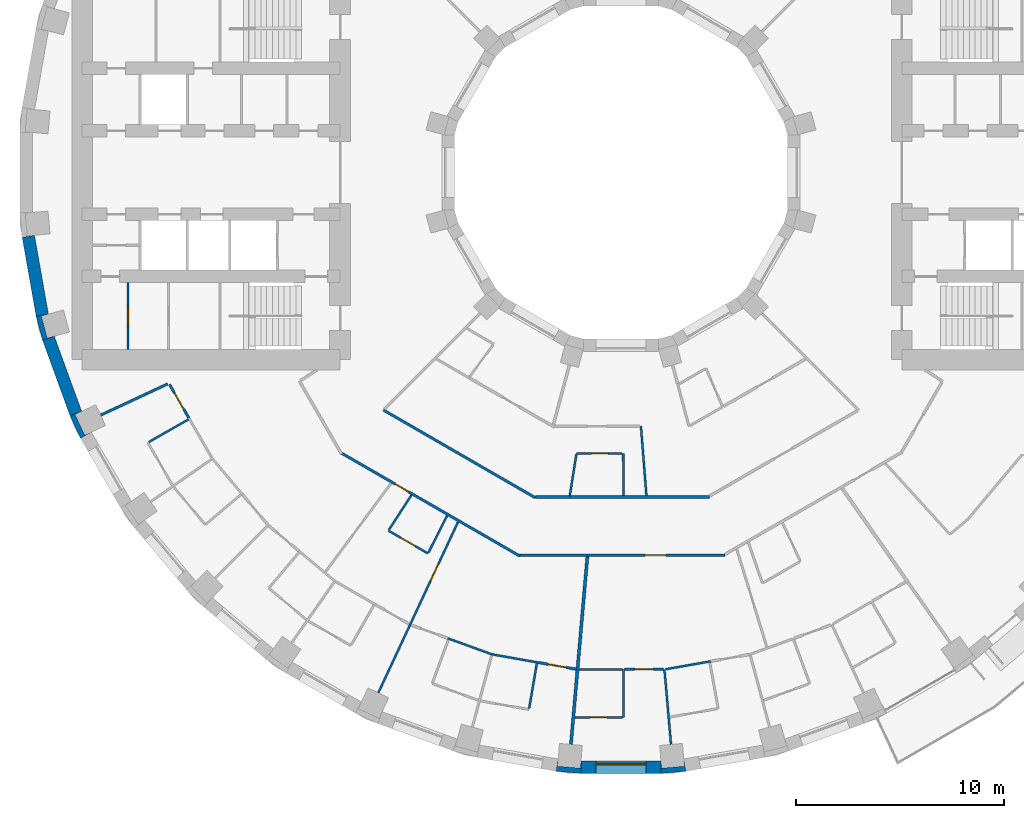
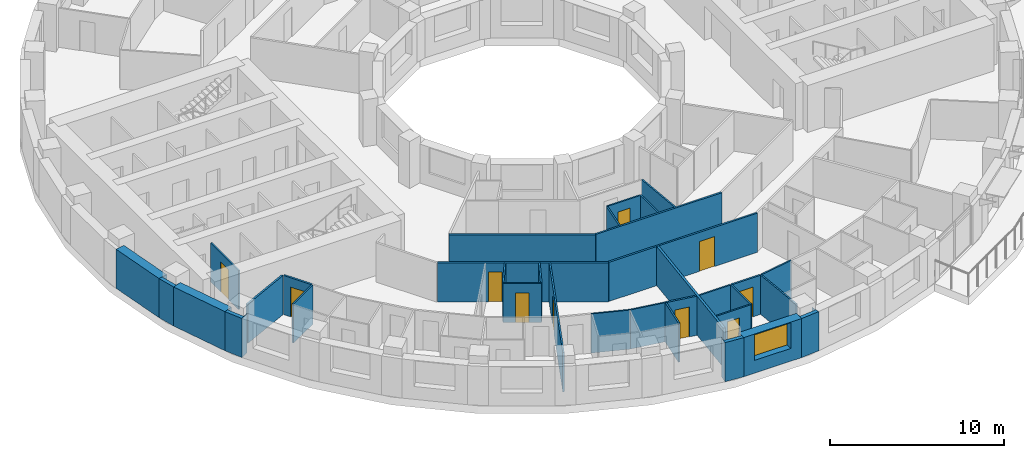
# One storey, part 5 of 15: 34 walls, 10 doors, 1 window, 11 openings.
"""IFC4 building model written with IfcOpenShell, lengths in metres."""

from ifc_helpers import new_model, si_unit, direction, frame, frame_2d, origin, place, context, subcontext, project, spatial, polyline, rectangle, outline, extrude, material, layer, layer_set, type_object, element, fill, save


model = new_model("IFC4")

# Units and contexts
model_context = context("Model", 3, precision=1e-05, world=origin(), true_north=direction((0.0, 1.0)))
body_context = subcontext(model_context, "Body", "Model", "MODEL_VIEW")
ifc_project = project(units=[si_unit("LENGTHUNIT", "METRE"), si_unit("AREAUNIT", "SQUARE_METRE"), si_unit("VOLUMEUNIT", "CUBIC_METRE"), si_unit("PLANEANGLEUNIT", "RADIAN"), si_unit("MASSUNIT", "GRAM", prefix="KILO")], contexts=[model_context])

# Site, building, storey
site_placement = place(None, origin())
site = spatial("IfcSite", under=ifc_project, at=site_placement, CompositionType="ELEMENT")
building_placement = place(site_placement, origin())
building = spatial("IfcBuilding", under=site, at=building_placement, Name="Saqina Gate Tower", CompositionType="ELEMENT")
storey_placement = place(building_placement, frame((0.0, 0.0, 39.5)))
storey = spatial("IfcBuildingStorey", under=building, at=storey_placement, Name="L10", CompositionType="ELEMENT", Elevation=39.5)

# Walls
ifc_material_1 = material(Name="Brick masonry (red)", Category="masonry")
wall_type_1 = type_object("IfcWallType", Name="BRICK PIER COPING RED", PredefinedType="SOLIDWALL", material=ifc_material_1)
wall_1_placement = place(storey_placement, origin())
element("IfcWall", 1, at=wall_1_placement, inside=storey, type_object=wall_type_1, Name="Pier cap L10 column 20", PredefinedType="SOLIDWALL", context=body_context, shape_type="SweptSolid", body=[
    extrude(outline(polyline([(-28.11669921875, -6.910400390625), (-27.80517578125, -8.073974609375), (-27.2412109375, -7.86865234375), (-27.57958984375, -7.95947265625), (-27.864501953125, -6.896728515625), (-27.52587890625, -6.80615234375), (-28.11669921875, -6.910400390625)])), origin(), (0.0, 0.0, 1.0), 2.75),
])
wall_2_placement = place(storey_placement, origin())
element("IfcWall", 2, at=wall_2_placement, inside=storey, type_object=wall_type_1, Name="Pier cap L10 column 21", PredefinedType="SOLIDWALL", context=body_context, shape_type="SweptSolid", body=[
    extrude(outline(polyline([(-25.980712890625, -12.779541015625), (-25.4609375, -12.4794921875), (-25.778564453125, -12.627685546875), (-26.243408203125, -11.630615234375), (-25.92578125, -11.482666015625), (-26.48974609375, -11.687744140625), (-25.980712890625, -12.779541015625)])), origin(), (0.0, 0.0, 1.0), 2.75),
])
wall_3_placement = place(storey_placement, origin())
element("IfcWall", 3, at=wall_3_placement, inside=storey, type_object=wall_type_1, Name="Pier cap L10 column 27", PredefinedType="SOLIDWALL", context=body_context, shape_type="SweptSolid", body=[
    extrude(outline(polyline([(-3.122802734375, -28.78466796875), (-1.9228515625, -28.8896484375), (-1.9228515625, -28.28955078125), (-1.95361328125, -28.638671875), (-3.04931640625, -28.54296875), (-3.018798828125, -28.19384765625), (-3.122802734375, -28.78466796875)])), origin(), (0.0, 0.0, 1.0), 2.75),
])
wall_4_placement = place(storey_placement, origin())
element("IfcWall", 4, at=wall_4_placement, inside=storey, type_object=wall_type_1, Name="Pier cap L10 column 28", PredefinedType="SOLIDWALL", context=body_context, shape_type="SweptSolid", body=[
    extrude(outline(polyline([(1.9228515625, -28.8896484375), (3.122802734375, -28.78466796875), (3.018798828125, -28.19384765625), (3.04931640625, -28.54296875), (1.95361328125, -28.638671875), (1.9228515625, -28.28955078125), (1.9228515625, -28.8896484375)])), origin(), (0.0, 0.0, 1.0), 2.75),
])

# Wall, opening, door
ifc_material_2 = material(Name="Gypsum board on steel studs", Category="steel")
ifc_layer_1 = layer(ifc_material_2, 0.10009765625)
ifc_layer_set_1 = layer_set([ifc_layer_1], Name="CORE PARTITION")
wall_type_2 = type_object("IfcWallType", Name="CORE PARTITION", PredefinedType="PARTITIONING", material=ifc_layer_set_1)
wall_5_placement = place(storey_placement, frame((-23.697509765625, -8.5, 0.0), z_axis=(0.0, 0.0, 1.0), x_axis=(0.0, 1.0, 0.0)))
wall_5 = element("IfcWall", 5, at=wall_5_placement, inside=storey, type_object=wall_type_2, Name="L10-CP-W14", PredefinedType="PARTITIONING", context=body_context, shape_type="SweptSolid", body=[
    extrude(rectangle(XDim=3.199951171875, YDim=0.10009765625, at=frame_2d((1.60009765625, 0.0))), origin(), (0.0, 0.0, 1.0), 2.75),
])
opening_1_placement = place(wall_5_placement, frame((1.14990234375, 0.0, 0.0)))
opening_1 = element("IfcOpeningElement", 6, at=opening_1_placement, cuts=wall_5, Name="Opening G02-D115", PredefinedType="OPENING", context=body_context, shape_type="SweptSolid", body=[
    extrude(rectangle(XDim=0.89990234375, YDim=2.10009765625, at=frame_2d((0.449951171875, 1.050048828125))), frame((0.0, 0.06201171875, 0.0), z_axis=(0.0, -1.0, 0.0), x_axis=(1.0, 0.0, 0.0)), (0.0, 0.0, 1.0), 0.1240234375),
])
ifc_material_3 = material(Name="Steel-framed fire door leaf, EI 60", Category="steel")
door_type_1 = type_object("IfcDoorType", Name="SERVICE ROOM DOOR 900", OperationType="SINGLE_SWING_LEFT", PredefinedType="DOOR", material=ifc_material_3)
door_1_placement = place(opening_1_placement, frame((0.89990234375, 0.0, 0.0), z_axis=(0.0, 0.0, 1.0), x_axis=(-1.0, 0.0, 0.0)))
door_1 = element("IfcDoor", 7, at=door_1_placement, inside=storey, type_object=door_type_1, Name="L10-CD-W26", OperationType="SINGLE_SWING_RIGHT", OverallHeight=2.10009765625, OverallWidth=0.89990234375, PredefinedType="DOOR", context=body_context, shape_type="SweptSolid", body=[
    extrude(rectangle(XDim=0.89990234375, YDim=2.10009765625, at=frame_2d((0.449951171875, 1.050048828125))), frame((0.0, 0.02490234375, 0.0), z_axis=(0.0, -1.0, 0.0), x_axis=(1.0, 0.0, 0.0)), (0.0, 0.0, 1.0), 0.050048828125),
])
fill(opening_1, door_1)

# Wall, opening, window
ifc_material_4 = material(Name="Brick masonry (red)", Category="masonry")
ifc_layer_2 = layer(ifc_material_4, 0.60009765625)
ifc_layer_set_2 = layer_set([ifc_layer_2], Name="FW-BRICK-RED")
wall_type_3 = type_object("IfcWallType", Name="FW-BRICK-RED", PredefinedType="SOLIDWALL", material=ifc_layer_set_2)
wall_6_placement = place(storey_placement, frame((-1.9228515625, -28.589599609375, 0.0), z_axis=(0.0, 0.0, 1.0), x_axis=(1.0, 0.0, 0.0)))
wall_6 = element("IfcWall", 8, at=wall_6_placement, inside=storey, type_object=wall_type_3, Name="Facade wall L10 facet 27", PredefinedType="SOLIDWALL", context=body_context, shape_type="SweptSolid", body=[
    extrude(rectangle(XDim=3.845703125, YDim=0.60009765625, at=frame_2d((1.9228515625, 0.0))), origin(), (0.0, 0.0, 1.0), 2.75),
])
opening_2_placement = place(wall_6_placement, frame((0.722900390625, 0.0, 0.89990234375)))
opening_2 = element("IfcOpeningElement", 9, at=opening_2_placement, cuts=wall_6, Name="Opening G02-W20", PredefinedType="OPENING", context=body_context, shape_type="SweptSolid", body=[
    extrude(rectangle(XDim=2.39990234375, YDim=1.800048828125, at=frame_2d((1.199951171875, 0.89990234375))), frame((0.0, 0.31201171875, 0.0), z_axis=(0.0, -1.0, 0.0), x_axis=(1.0, 0.0, 0.0)), (0.0, 0.0, 1.0), 0.6240234375),
])
ifc_material_5 = material(Name="Aluminium glazing", Category="aluminium")
window_type = type_object("IfcWindowType", Name="WN-A", PartitioningType="SINGLE_PANEL", PredefinedType="WINDOW", material=ifc_material_5)
window_placement = place(opening_2_placement, origin())
window = element("IfcWindow", 10, at=window_placement, inside=storey, type_object=window_type, Name="Window L10 facet 27", OverallHeight=1.800048828125, OverallWidth=2.39990234375, PartitioningType="SINGLE_PANEL", PredefinedType="WINDOW", context=body_context, shape_type="SweptSolid", body=[
    extrude(rectangle(XDim=2.39990234375, YDim=1.800048828125, at=frame_2d((1.199951171875, 0.89990234375))), frame((0.0, 0.179931640625, 0.0), z_axis=(0.0, -1.0, 0.0), x_axis=(1.0, 0.0, 0.0)), (0.0, 0.0, 1.0), 0.06005859375),
])
fill(opening_2, window)

# Walls
ifc_material_6 = material(Name="Glazed ceramic tile", Category="ceramic")
ifc_layer_3 = layer(ifc_material_6, 0.60009765625)
ifc_layer_set_3 = layer_set([ifc_layer_3], Name="FW-TILE")
wall_type_4 = type_object("IfcWallType", Name="FW-TILE", PredefinedType="SOLIDWALL", material=ifc_layer_set_3)
wall_7_placement = place(storey_placement, frame((-28.4892578125, -3.07080078125, 0.0), z_axis=(0.0, 0.0, 1.0), x_axis=(0.173687553279, -0.984800809218, 0.0)))
element("IfcWall", 11, at=wall_7_placement, inside=storey, type_object=wall_type_4, Name="Facade wall L10 facet 19", PredefinedType="SOLIDWALL", context=body_context, shape_type="SweptSolid", body=[
    extrude(rectangle(XDim=3.845703125, YDim=0.60009765625, at=frame_2d((1.9228515625, 0.0))), origin(), (0.0, 0.0, 1.0), 2.75),
])
ifc_material_7 = material(Name="Glazed ceramic tile (dark blue)", Category="ceramic")
ifc_layer_4 = layer(ifc_material_7, 0.60009765625)
ifc_layer_set_4 = layer_set([ifc_layer_4], Name="FW-TILE-CB")
wall_type_5 = type_object("IfcWallType", Name="FW-TILE-CB", PredefinedType="SOLIDWALL", material=ifc_layer_set_4)
wall_8_placement = place(storey_placement, frame((-27.523193359375, -7.97119140625, 0.0), z_axis=(0.0, 0.0, 1.0), x_axis=(0.342028474173, -0.939689588564, 0.0)))
element("IfcWall", 12, at=wall_8_placement, inside=storey, type_object=wall_type_5, Name="Facade wall L10 facet 20", PredefinedType="SOLIDWALL", context=body_context, shape_type="SweptSolid", body=[
    extrude(rectangle(XDim=3.845947265625, YDim=0.60009765625, at=frame_2d((1.9228515625, 0.0))), origin(), (0.0, 0.0, 1.0), 2.75),
])
ifc_material_8 = material(Name="Gypsum board on steel studs, 100 mm", Category="steel")
ifc_layer_5 = layer(ifc_material_8, 0.10009765625)
ifc_layer_set_5 = layer_set([ifc_layer_5], Name="PARTITION 100")
wall_type_6 = type_object("IfcWallType", Name="PARTITION 100", PredefinedType="PARTITIONING", material=ifc_layer_set_5)
wall_9_placement = place(storey_placement, frame((0.114990234375, -23.889892578125, 0.0), z_axis=(0.0, 0.0, 1.0), x_axis=(0.004776508509, -0.999988592418, 0.0)))
element("IfcWall", 13, at=wall_9_placement, inside=storey, type_object=wall_type_6, Name="PARTITION PW3-01", PredefinedType="PARTITIONING", context=body_context, shape_type="SweptSolid", body=[
    extrude(rectangle(XDim=2.300048828125, YDim=0.10009765625, at=frame_2d((1.14990234375, 0.0))), origin(), (0.0, 0.0, 1.0), 2.75),
])
wall_10_placement = place(storey_placement, frame((0.10791015625, -13.5, 0.0), z_axis=(0.0, 0.0, 1.0), x_axis=(0.008147345204, -0.999966809832, 0.0)))
element("IfcWall", 14, at=wall_10_placement, inside=storey, type_object=wall_type_6, Name="PARTITION PW3-02", PredefinedType="PARTITIONING", context=body_context, shape_type="SweptSolid", body=[
    extrude(rectangle(XDim=2.03759765625, YDim=0.10009765625, at=frame_2d((1.018798828125, 0.0))), origin(), (0.0, 0.0, 1.0), 2.75),
])
wall_11_placement = place(storey_placement, frame((0.9599609375, -12.199951171875, 0.0), z_axis=(0.0, 0.0, 1.0), x_axis=(0.078609037554, -0.996905521709, 0.0)))
element("IfcWall", 15, at=wall_11_placement, inside=storey, type_object=wall_type_6, Name="PARTITION PW3-03", PredefinedType="PARTITIONING", context=body_context, shape_type="SweptSolid", body=[
    extrude(rectangle(XDim=3.347900390625, YDim=0.10009765625, at=frame_2d((1.673828125, 0.0))), origin(), (0.0, 0.0, 1.0), 2.75),
])
wall_12_placement = place(storey_placement, frame((2.090087890625, -23.889892578125, 0.0), z_axis=(0.0, 0.0, 1.0), x_axis=(0.08706456859, -0.996202670593, 0.0)))
element("IfcWall", 16, at=wall_12_placement, inside=storey, type_object=wall_type_6, Name="PARTITION PW3-06", PredefinedType="PARTITIONING", context=body_context, shape_type="SweptSolid", body=[
    extrude(rectangle(XDim=3.60888671875, YDim=0.10009765625, at=frame_2d((1.804443359375, 0.0))), origin(), (0.0, 0.0, 1.0), 2.75),
])

# Wall, opening, door
wall_13_placement = place(storey_placement, frame((-11.179931640625, -17.216064453125, 0.0), z_axis=(0.0, 0.0, 1.0), x_axis=(0.865970937006, -0.500094327363, 0.0)))
wall_13 = element("IfcWall", 17, at=wall_13_placement, inside=storey, type_object=wall_type_6, Name="PARTITION PW3-42", PredefinedType="PARTITIONING", context=body_context, shape_type="SweptSolid", body=[
    extrude(rectangle(XDim=2.197265625, YDim=0.10009765625, at=frame_2d((1.0986328125, 0.0))), origin(), (0.0, 0.0, 1.0), 2.75),
])
opening_3_placement = place(wall_13_placement, frame((0.69873046875, 0.0, 0.0)))
opening_3 = element("IfcOpeningElement", 18, at=opening_3_placement, cuts=wall_13, Name="Opening G02-D42", PredefinedType="OPENING", context=body_context, shape_type="SweptSolid", body=[
    extrude(rectangle(XDim=0.800048828125, YDim=2.10009765625, at=frame_2d((0.39990234375, 1.050048828125))), frame((0.0, 0.06201171875, 0.0), z_axis=(0.0, -1.0, 0.0), x_axis=(1.0, 0.0, 0.0)), (0.0, 0.0, 1.0), 0.1240234375),
])
ifc_material_9 = material(Name="Timber door leaf, 800 mm", Category="wood")
door_type_2 = type_object("IfcDoorType", Name="DOOR 800 TIMBER", OperationType="SINGLE_SWING_LEFT", PredefinedType="DOOR", material=ifc_material_9)
door_2_placement = place(opening_3_placement, frame((0.800048828125, 0.0, 0.0), z_axis=(0.0, 0.0, 1.0), x_axis=(-1.0, 0.0, 0.0)))
door_2 = element("IfcDoor", 19, at=door_2_placement, inside=storey, type_object=door_type_2, Name="DOOR G02-D42", OperationType="SINGLE_SWING_LEFT", OverallHeight=2.10009765625, OverallWidth=0.800048828125, PredefinedType="DOOR", context=body_context, shape_type="SweptSolid", body=[
    extrude(rectangle(XDim=0.800048828125, YDim=2.10009765625, at=frame_2d((0.39990234375, 1.050048828125))), frame((0.0, 0.02490234375, 0.0), z_axis=(0.0, -1.0, 0.0), x_axis=(1.0, 0.0, 0.0)), (0.0, 0.0, 1.0), 0.050048828125),
])
fill(opening_3, door_2)

# Walls
wall_14_placement = place(storey_placement, frame((-8.325927734375, -22.392822265625, 0.0), z_axis=(0.0, 0.0, 1.0), x_axis=(0.939700645731, -0.341998094165, 0.0)))
element("IfcWall", 20, at=wall_14_placement, inside=storey, type_object=wall_type_6, Name="PARTITION PW3-50", PredefinedType="PARTITIONING", context=body_context, shape_type="SweptSolid", body=[
    extrude(rectangle(XDim=2.3056640625, YDim=0.10009765625, at=frame_2d((1.15283203125, 0.0))), origin(), (0.0, 0.0, 1.0), 2.75),
])
wall_15_placement = place(storey_placement, frame((-6.15771484375, -23.172607421875, 0.0), z_axis=(0.0, 0.0, 1.0), x_axis=(0.984800270927, -0.173690605338, 0.0)))
element("IfcWall", 21, at=wall_15_placement, inside=storey, type_object=wall_type_6, Name="PARTITION PW3-54", PredefinedType="PARTITIONING", context=body_context, shape_type="SweptSolid", body=[
    extrude(rectangle(XDim=2.205322265625, YDim=0.10009765625, at=frame_2d((1.1025390625, 0.0))), origin(), (0.0, 0.0, 1.0), 2.75),
])

# Wall, opening, door
wall_16_placement = place(storey_placement, frame((-2.216064453125, -26.18994140625, 0.0), z_axis=(0.0, 0.0, 1.0), x_axis=(1.0, 0.0, 0.0)))
wall_16 = element("IfcWall", 22, at=wall_16_placement, inside=storey, type_object=wall_type_6, Name="PARTITION PW3-57", PredefinedType="PARTITIONING", context=body_context, shape_type="SweptSolid", body=[
    extrude(rectangle(XDim=2.2919921875, YDim=0.10009765625, at=frame_2d((1.14599609375, 0.0))), origin(), (0.0, 0.0, 1.0), 2.75),
])
opening_4_placement = place(wall_16_placement, frame((0.7333984375, 0.0, 0.0)))
opening_4 = element("IfcOpeningElement", 23, at=opening_4_placement, cuts=wall_16, Name="Opening G02-D52", PredefinedType="OPENING", context=body_context, shape_type="SweptSolid", body=[
    extrude(rectangle(XDim=0.800048828125, YDim=2.10009765625, at=frame_2d((0.39990234375, 1.050048828125))), frame((0.0, 0.06201171875, 0.0), z_axis=(0.0, -1.0, 0.0), x_axis=(1.0, 0.0, 0.0)), (0.0, 0.0, 1.0), 0.1240234375),
])
door_3_placement = place(opening_4_placement, frame((0.800048828125, 0.0, 0.0), z_axis=(0.0, 0.0, 1.0), x_axis=(-1.0, 0.0, 0.0)))
door_3 = element("IfcDoor", 24, at=door_3_placement, inside=storey, type_object=door_type_2, Name="DOOR G02-D52", OperationType="SINGLE_SWING_RIGHT", OverallHeight=2.10009765625, OverallWidth=0.800048828125, PredefinedType="DOOR", context=body_context, shape_type="SweptSolid", body=[
    extrude(rectangle(XDim=0.800048828125, YDim=2.10009765625, at=frame_2d((0.39990234375, 1.050048828125))), frame((0.0, 0.02490234375, 0.0), z_axis=(0.0, -1.0, 0.0), x_axis=(1.0, 0.0, 0.0)), (0.0, 0.0, 1.0), 0.050048828125),
])
fill(opening_4, door_3)

# Wall
wall_17_placement = place(storey_placement, frame((-2.014892578125, -23.889892578125, 0.0), z_axis=(0.0, 0.0, 1.0), x_axis=(1.0, 0.0, 0.0)))
element("IfcWall", 25, at=wall_17_placement, inside=storey, type_object=wall_type_6, Name="PARTITION PW3-58", PredefinedType="PARTITIONING", context=body_context, shape_type="SweptSolid", body=[
    extrude(rectangle(XDim=2.079833984375, YDim=0.10009765625, at=frame_2d((1.0400390625, 0.0))), origin(), (0.0, 0.0, 1.0), 2.75),
])

# Wall, opening, door
wall_18_placement = place(storey_placement, frame((-2.137939453125, -13.5, 0.0), z_axis=(0.0, 0.0, 1.0), x_axis=(1.0, 0.0, 0.0)))
wall_18 = element("IfcWall", 26, at=wall_18_placement, inside=storey, type_object=wall_type_6, Name="PARTITION PW3-59", PredefinedType="PARTITIONING", context=body_context, shape_type="SweptSolid", body=[
    extrude(rectangle(XDim=2.196044921875, YDim=0.10009765625, at=frame_2d((1.09814453125, 0.0))), origin(), (0.0, 0.0, 1.0), 2.75),
])
opening_5_placement = place(wall_18_placement, frame((0.722900390625, 0.0, 0.0)))
opening_5 = element("IfcOpeningElement", 27, at=opening_5_placement, cuts=wall_18, Name="Opening G02-D51", PredefinedType="OPENING", context=body_context, shape_type="SweptSolid", body=[
    extrude(rectangle(XDim=0.800048828125, YDim=2.10009765625, at=frame_2d((0.39990234375, 1.050048828125))), frame((0.0, 0.06201171875, 0.0), z_axis=(0.0, -1.0, 0.0), x_axis=(1.0, 0.0, 0.0)), (0.0, 0.0, 1.0), 0.1240234375),
])
door_4_placement = place(opening_5_placement, origin())
door_4 = element("IfcDoor", 28, at=door_4_placement, inside=storey, type_object=door_type_2, Name="DOOR G02-D51", OperationType="SINGLE_SWING_RIGHT", OverallHeight=2.10009765625, OverallWidth=0.800048828125, PredefinedType="DOOR", context=body_context, shape_type="SweptSolid", body=[
    extrude(rectangle(XDim=0.800048828125, YDim=2.10009765625, at=frame_2d((0.39990234375, 1.050048828125))), frame((0.0, 0.02490234375, 0.0), z_axis=(0.0, -1.0, 0.0), x_axis=(1.0, 0.0, 0.0)), (0.0, 0.0, 1.0), 0.050048828125),
])
fill(opening_5, door_4)

# Walls
wall_19_placement = place(storey_placement, frame((2.151611328125, -23.879150390625, 0.0), z_axis=(0.0, 0.0, 1.0), x_axis=(0.984803725636, 0.173671016504, 0.0)))
element("IfcWall", 29, at=wall_19_placement, inside=storey, type_object=wall_type_6, Name="PARTITION PW3-66", PredefinedType="PARTITIONING", context=body_context, shape_type="SweptSolid", body=[
    extrude(rectangle(XDim=2.193115234375, YDim=0.10009765625, at=frame_2d((1.0966796875, 0.0))), origin(), (0.0, 0.0, 1.0), 2.75),
])
wall_20_placement = place(storey_placement, frame((-22.70068359375, -12.960205078125, 0.0), z_axis=(0.0, 0.0, 1.0), x_axis=(0.86847529617, 0.495732447942, 0.0)))
element("IfcWall", 30, at=wall_20_placement, inside=storey, type_object=wall_type_6, Name="PARTITION PW3-73", PredefinedType="PARTITIONING", context=body_context, shape_type="SweptSolid", body=[
    extrude(rectangle(XDim=2.199462890625, YDim=0.10009765625, at=frame_2d((1.099609375, 0.0))), origin(), (0.0, 0.0, 1.0), 2.75),
])
wall_21_placement = place(storey_placement, frame((-11.15283203125, -17.174072265625, 0.0), z_axis=(0.0, 0.0, 1.0), x_axis=(0.544664848093, 0.838653804172, 0.0)))
element("IfcWall", 31, at=wall_21_placement, inside=storey, type_object=wall_type_6, Name="PARTITION PW3-99", PredefinedType="PARTITIONING", context=body_context, shape_type="SweptSolid", body=[
    extrude(rectangle(XDim=1.98974609375, YDim=0.10009765625, at=frame_2d((0.994873046875, 0.0))), origin(), (0.0, 0.0, 1.0), 2.75),
])
wall_22_placement = place(storey_placement, frame((-9.25439453125, -18.2705078125, 0.0), z_axis=(0.0, 0.0, 1.0), x_axis=(0.451770869898, 0.89213400401, 0.0)))
element("IfcWall", 32, at=wall_22_placement, inside=storey, type_object=wall_type_6, Name="PARTITION PW3-102", PredefinedType="PARTITIONING", context=body_context, shape_type="SweptSolid", body=[
    extrude(rectangle(XDim=1.990234375, YDim=0.10009765625, at=frame_2d((0.9951171875, 0.0))), origin(), (0.0, 0.0, 1.0), 2.75),
])

# Wall, opening, door
wall_23_placement = place(storey_placement, frame((-11.660400390625, -25.0048828125, 0.0), z_axis=(0.0, 0.0, 1.0), x_axis=(0.422646386434, 0.906294671745, 0.0)))
wall_23 = element("IfcWall", 33, at=wall_23_placement, inside=storey, type_object=wall_type_6, Name="PARTITION PW3-104", PredefinedType="PARTITIONING", context=body_context, shape_type="SweptSolid", body=[
    extrude(rectangle(XDim=9.056884765625, YDim=0.10009765625, at=frame_2d((4.5283203125, 0.0))), origin(), (0.0, 0.0, 1.0), 2.75),
])
opening_6_placement = place(wall_23_placement, frame((5.914306640625, 0.0, 0.0)))
opening_6 = element("IfcOpeningElement", 34, at=opening_6_placement, cuts=wall_23, Name="Opening G02-D45", PredefinedType="OPENING", context=body_context, shape_type="SweptSolid", body=[
    extrude(rectangle(XDim=0.89990234375, YDim=2.10009765625, at=frame_2d((0.449951171875, 1.050048828125))), frame((0.0, 0.06201171875, 0.0), z_axis=(0.0, -1.0, 0.0), x_axis=(1.0, 0.0, 0.0)), (0.0, 0.0, 1.0), 0.1240234375),
])
ifc_material_10 = material(Name="Timber door leaf, 900 mm", Category="wood")
door_type_3 = type_object("IfcDoorType", Name="DOOR 900 TIMBER", OperationType="SINGLE_SWING_LEFT", PredefinedType="DOOR", material=ifc_material_10)
door_5_placement = place(opening_6_placement, frame((0.89990234375, 0.0, 0.0), z_axis=(0.0, 0.0, 1.0), x_axis=(-1.0, 0.0, 0.0)))
door_5 = element("IfcDoor", 35, at=door_5_placement, inside=storey, type_object=door_type_3, Name="DOOR G02-D45", OperationType="SINGLE_SWING_LEFT", OverallHeight=2.10009765625, OverallWidth=0.89990234375, PredefinedType="DOOR", context=body_context, shape_type="SweptSolid", body=[
    extrude(rectangle(XDim=0.89990234375, YDim=2.10009765625, at=frame_2d((0.449951171875, 1.050048828125))), frame((0.0, 0.02490234375, 0.0), z_axis=(0.0, -1.0, 0.0), x_axis=(1.0, 0.0, 0.0)), (0.0, 0.0, 1.0), 0.050048828125),
])
fill(opening_6, door_5)

# Walls
wall_24_placement = place(storey_placement, frame((-4.41455078125, -25.7646484375, 0.0), z_axis=(0.0, 0.0, 1.0), x_axis=(0.168650911642, 0.985675844283, 0.0)))
element("IfcWall", 36, at=wall_24_placement, inside=storey, type_object=wall_type_6, Name="PARTITION PW3-110", PredefinedType="PARTITIONING", context=body_context, shape_type="SweptSolid", body=[
    extrude(rectangle(XDim=2.187255859375, YDim=0.10009765625, at=frame_2d((1.09375, 0.0))), origin(), (0.0, 0.0, 1.0), 2.75),
])
wall_25_placement = place(storey_placement, frame((-2.461181640625, -15.538330078125, 0.0), z_axis=(0.0, 0.0, 1.0), x_axis=(0.156628645525, 0.98765756586, 0.0)))
element("IfcWall", 37, at=wall_25_placement, inside=storey, type_object=wall_type_6, Name="PARTITION PW3-111", PredefinedType="PARTITIONING", context=body_context, shape_type="SweptSolid", body=[
    extrude(rectangle(XDim=2.013916015625, YDim=0.10009765625, at=frame_2d((1.0068359375, 0.0))), origin(), (0.0, 0.0, 1.0), 2.75),
])

# Wall, opening, door
ifc_material_11 = material(Name="Gypsum board on steel studs, 125 mm, fire rated", Category="steel")
ifc_layer_6 = layer(ifc_material_11, 0.125)
ifc_layer_set_6 = layer_set([ifc_layer_6], Name="PARTITION EI 30 125")
wall_type_7 = type_object("IfcWallType", Name="PARTITION EI 30 125", PredefinedType="PARTITIONING", material=ifc_layer_set_6)
wall_26_placement = place(storey_placement, frame((-21.70263671875, -10.189208984375, 0.0), z_axis=(0.0, 0.0, 1.0), x_axis=(0.499862453367, -0.866104801807, 0.0)))
wall_26 = element("IfcWall", 38, at=wall_26_placement, inside=storey, type_object=wall_type_7, Name="PARTITION PW1-02", PredefinedType="PARTITIONING", context=body_context, shape_type="SweptSolid", body=[
    extrude(rectangle(XDim=1.86181640625, YDim=0.125, at=frame_2d((0.930908203125, 0.0))), origin(), (0.0, 0.0, 1.0), 2.75),
])
opening_7_placement = place(wall_26_placement, frame((0.475830078125, 0.0, 0.0)))
opening_7 = element("IfcOpeningElement", 39, at=opening_7_placement, cuts=wall_26, Name="Opening G02-D32", PredefinedType="OPENING", context=body_context, shape_type="SweptSolid", body=[
    extrude(rectangle(XDim=0.89990234375, YDim=2.10009765625, at=frame_2d((0.449951171875, 1.050048828125))), frame((0.0, 0.074462890625, 0.0), z_axis=(0.0, -1.0, 0.0), x_axis=(1.0, 0.0, 0.0)), (0.0, 0.0, 1.0), 0.14892578125),
])
ifc_material_12 = material(Name="Fire door leaf EI 30, 900 mm")
door_type_4 = type_object("IfcDoorType", Name="DOOR 900 EI 30", OperationType="SINGLE_SWING_LEFT", PredefinedType="DOOR", material=ifc_material_12)
door_6_placement = place(opening_7_placement, origin())
door_6 = element("IfcDoor", 40, at=door_6_placement, inside=storey, type_object=door_type_4, Name="DOOR G02-D32", OperationType="SINGLE_SWING_LEFT", OverallHeight=2.10009765625, OverallWidth=0.89990234375, PredefinedType="DOOR", context=body_context, shape_type="SweptSolid", body=[
    extrude(rectangle(XDim=0.89990234375, YDim=2.10009765625, at=frame_2d((0.449951171875, 1.050048828125))), frame((0.0, 0.02490234375, 0.0), z_axis=(0.0, -1.0, 0.0), x_axis=(1.0, 0.0, 0.0)), (0.0, 0.0, 1.0), 0.050048828125),
])
fill(opening_7, door_6)

wall_27_placement = place(storey_placement, frame((-13.415771484375, -13.501220703125, 0.0), z_axis=(0.0, 0.0, 1.0), x_axis=(0.86605048973, -0.49995654735, 0.0)))
wall_27 = element("IfcWall", 41, at=wall_27_placement, inside=storey, type_object=wall_type_7, Name="PARTITION PW1-16", PredefinedType="PARTITIONING", context=body_context, shape_type="SweptSolid", body=[
    extrude(rectangle(XDim=9.87060546875, YDim=0.125, at=frame_2d((4.935302734375, 0.0))), origin(), (0.0, 0.0, 1.0), 2.75),
])
opening_8_placement = place(wall_27_placement, frame((2.9375, 0.0, 0.0)))
opening_8 = element("IfcOpeningElement", 42, at=opening_8_placement, cuts=wall_27, Name="Opening G02-D40", PredefinedType="OPENING", context=body_context, shape_type="SweptSolid", body=[
    extrude(rectangle(XDim=0.800048828125, YDim=2.10009765625, at=frame_2d((0.39990234375, 1.050048828125))), frame((0.0, 0.074462890625, 0.0), z_axis=(0.0, -1.0, 0.0), x_axis=(1.0, 0.0, 0.0)), (0.0, 0.0, 1.0), 0.14892578125),
])
ifc_material_13 = material(Name="Fire door leaf EI 30, 800 mm")
door_type_5 = type_object("IfcDoorType", Name="DOOR 800 EI 30", OperationType="SINGLE_SWING_LEFT", PredefinedType="DOOR", material=ifc_material_13)
door_7_placement = place(opening_8_placement, frame((0.800048828125, 0.0, 0.0), z_axis=(0.0, 0.0, 1.0), x_axis=(-1.0, 0.0, 0.0)))
door_7 = element("IfcDoor", 43, at=door_7_placement, inside=storey, type_object=door_type_5, Name="DOOR G02-D40", OperationType="SINGLE_SWING_RIGHT", OverallHeight=2.10009765625, OverallWidth=0.800048828125, PredefinedType="DOOR", context=body_context, shape_type="SweptSolid", body=[
    extrude(rectangle(XDim=0.800048828125, YDim=2.10009765625, at=frame_2d((0.39990234375, 1.050048828125))), frame((0.0, 0.02490234375, 0.0), z_axis=(0.0, -1.0, 0.0), x_axis=(1.0, 0.0, 0.0)), (0.0, 0.0, 1.0), 0.050048828125),
])
fill(opening_8, door_7)

# Wall
wall_28_placement = place(storey_placement, frame((-11.419921875, -11.419921875, 0.0), z_axis=(0.0, 0.0, 1.0), x_axis=(0.866026957163, -0.49999730946, 0.0)))
element("IfcWall", 44, at=wall_28_placement, inside=storey, type_object=wall_type_7, Name="PARTITION PW1-17", PredefinedType="PARTITIONING", context=body_context, shape_type="SweptSolid", body=[
    extrude(rectangle(XDim=8.43212890625, YDim=0.125, at=frame_2d((4.216064453125, 0.0))), origin(), (0.0, 0.0, 1.0), 2.75),
])

# Wall, opening, door
wall_29_placement = place(storey_placement, frame((-3.98583984375, -23.5556640625, 0.0), z_axis=(0.0, 0.0, 1.0), x_axis=(0.984806134001, -0.173657359285, 0.0)))
wall_29 = element("IfcWall", 45, at=wall_29_placement, inside=storey, type_object=wall_type_7, Name="PARTITION PW1-24", PredefinedType="PARTITIONING", context=body_context, shape_type="SweptSolid", body=[
    extrude(rectangle(XDim=1.85009765625, YDim=0.125, at=frame_2d((0.925048828125, 0.0))), origin(), (0.0, 0.0, 1.0), 2.75),
])
opening_9_placement = place(wall_29_placement, frame((0.487548828125, 0.0, 0.0)))
opening_9 = element("IfcOpeningElement", 46, at=opening_9_placement, cuts=wall_29, Name="Opening G02-D49", PredefinedType="OPENING", context=body_context, shape_type="SweptSolid", body=[
    extrude(rectangle(XDim=0.89990234375, YDim=2.10009765625, at=frame_2d((0.449951171875, 1.050048828125))), frame((0.0, 0.074462890625, 0.0), z_axis=(0.0, -1.0, 0.0), x_axis=(1.0, 0.0, 0.0)), (0.0, 0.0, 1.0), 0.14892578125),
])
door_8_placement = place(opening_9_placement, origin())
door_8 = element("IfcDoor", 47, at=door_8_placement, inside=storey, type_object=door_type_4, Name="DOOR G02-D49", OperationType="SINGLE_SWING_RIGHT", OverallHeight=2.10009765625, OverallWidth=0.89990234375, PredefinedType="DOOR", context=body_context, shape_type="SweptSolid", body=[
    extrude(rectangle(XDim=0.89990234375, YDim=2.10009765625, at=frame_2d((0.449951171875, 1.050048828125))), frame((0.0, 0.02490234375, 0.0), z_axis=(0.0, -1.0, 0.0), x_axis=(1.0, 0.0, 0.0)), (0.0, 0.0, 1.0), 0.050048828125),
])
fill(opening_9, door_8)

wall_30_placement = place(storey_placement, frame((0.1650390625, -23.889892578125, 0.0), z_axis=(0.0, 0.0, 1.0), x_axis=(1.0, 0.0, 0.0)))
wall_30 = element("IfcWall", 48, at=wall_30_placement, inside=storey, type_object=wall_type_7, Name="PARTITION PW1-26", PredefinedType="PARTITIONING", context=body_context, shape_type="SweptSolid", body=[
    extrude(rectangle(XDim=1.875, YDim=0.125, at=frame_2d((0.9375, 0.0))), origin(), (0.0, 0.0, 1.0), 2.75),
])
opening_10_placement = place(wall_30_placement, frame((0.487548828125, 0.0, 0.0)))
opening_10 = element("IfcOpeningElement", 49, at=opening_10_placement, cuts=wall_30, Name="Opening G02-D53", PredefinedType="OPENING", context=body_context, shape_type="SweptSolid", body=[
    extrude(rectangle(XDim=0.89990234375, YDim=2.10009765625, at=frame_2d((0.449951171875, 1.050048828125))), frame((0.0, 0.074462890625, 0.0), z_axis=(0.0, -1.0, 0.0), x_axis=(1.0, 0.0, 0.0)), (0.0, 0.0, 1.0), 0.14892578125),
])
door_9_placement = place(opening_10_placement, origin())
door_9 = element("IfcDoor", 50, at=door_9_placement, inside=storey, type_object=door_type_4, Name="DOOR G02-D53", OperationType="SINGLE_SWING_RIGHT", OverallHeight=2.10009765625, OverallWidth=0.89990234375, PredefinedType="DOOR", context=body_context, shape_type="SweptSolid", body=[
    extrude(rectangle(XDim=0.89990234375, YDim=2.10009765625, at=frame_2d((0.449951171875, 1.050048828125))), frame((0.0, 0.02490234375, 0.0), z_axis=(0.0, -1.0, 0.0), x_axis=(1.0, 0.0, 0.0)), (0.0, 0.0, 1.0), 0.050048828125),
])
fill(opening_10, door_9)

wall_31_placement = place(storey_placement, frame((-4.867431640625, -18.39990234375, 0.0), z_axis=(0.0, 0.0, 1.0), x_axis=(1.0, 0.0, 0.0)))
wall_31 = element("IfcWall", 51, at=wall_31_placement, inside=storey, type_object=wall_type_7, Name="PARTITION PW1-27", PredefinedType="PARTITIONING", context=body_context, shape_type="SweptSolid", body=[
    extrude(rectangle(XDim=9.86962890625, YDim=0.125, at=frame_2d((4.934814453125, 0.0))), origin(), (0.0, 0.0, 1.0), 2.75),
])
opening_11_placement = place(wall_31_placement, frame((6.027587890625, 0.0, 0.0)))
opening_11 = element("IfcOpeningElement", 52, at=opening_11_placement, cuts=wall_31, Name="Opening G02-D54", PredefinedType="OPENING", context=body_context, shape_type="SweptSolid", body=[
    extrude(rectangle(XDim=1.0, YDim=2.10009765625, at=frame_2d((0.5, 1.050048828125))), frame((0.0, 0.074462890625, 0.0), z_axis=(0.0, -1.0, 0.0), x_axis=(1.0, 0.0, 0.0)), (0.0, 0.0, 1.0), 0.14892578125),
])
ifc_material_14 = material(Name="Fire door leaf EI 30, 1000 mm")
door_type_6 = type_object("IfcDoorType", Name="DOOR 1000 EI 30", OperationType="SINGLE_SWING_LEFT", PredefinedType="DOOR", material=ifc_material_14)
door_10_placement = place(opening_11_placement, frame((1.0, 0.0, 0.0), z_axis=(0.0, 0.0, 1.0), x_axis=(-1.0, 0.0, 0.0)))
door_10 = element("IfcDoor", 53, at=door_10_placement, inside=storey, type_object=door_type_6, Name="DOOR G02-D54", OperationType="SINGLE_SWING_LEFT", OverallHeight=2.10009765625, OverallWidth=1.0, PredefinedType="DOOR", context=body_context, shape_type="SweptSolid", body=[
    extrude(rectangle(XDim=1.0, YDim=2.10009765625, at=frame_2d((0.5, 1.050048828125))), frame((0.0, 0.02490234375, 0.0), z_axis=(0.0, -1.0, 0.0), x_axis=(1.0, 0.0, 0.0)), (0.0, 0.0, 1.0), 0.050048828125),
])
fill(opening_11, door_10)

# Walls
wall_32_placement = place(storey_placement, frame((-4.117431640625, -15.60009765625, 0.0), z_axis=(0.0, 0.0, 1.0), x_axis=(1.0, 0.0, 0.0)))
element("IfcWall", 54, at=wall_32_placement, inside=storey, type_object=wall_type_7, Name="PARTITION PW1-28", PredefinedType="PARTITIONING", context=body_context, shape_type="SweptSolid", body=[
    extrude(rectangle(XDim=8.36962890625, YDim=0.125, at=frame_2d((4.184814453125, 0.0))), origin(), (0.0, 0.0, 1.0), 2.75),
])
wall_33_placement = place(storey_placement, frame((-25.004150390625, -11.661865234375, 0.0), z_axis=(0.0, 0.0, 1.0), x_axis=(0.906357161772, 0.422512361127, 0.0)))
element("IfcWall", 55, at=wall_33_placement, inside=storey, type_object=wall_type_7, Name="PARTITION PW1-36", PredefinedType="PARTITIONING", context=body_context, shape_type="SweptSolid", body=[
    extrude(rectangle(XDim=3.546630859375, YDim=0.125, at=frame_2d((1.7734375, 0.0))), origin(), (0.0, 0.0, 1.0), 2.75),
])
ifc_material_15 = material(Name="Gypsum board on steel studs, 150 mm, fire rated", Category="steel")
ifc_layer_7 = layer(ifc_material_15, 0.14990234375)
ifc_layer_set_7 = layer_set([ifc_layer_7], Name="PARTITION EI 60 150")
wall_type_8 = type_object("IfcWallType", Name="PARTITION EI 60 150", PredefinedType="PARTITIONING", material=ifc_layer_set_7)
wall_34_placement = place(storey_placement, frame((-2.404541015625, -27.485107421875, 0.0), z_axis=(0.0, 0.0, 1.0), x_axis=(0.087173972326, 0.996193103042, 0.0)))
element("IfcWall", 56, at=wall_34_placement, inside=storey, type_object=wall_type_8, Name="PARTITION PW2-04", PredefinedType="PARTITIONING", context=body_context, shape_type="SweptSolid", body=[
    extrude(rectangle(XDim=9.05712890625, YDim=0.14990234375, at=frame_2d((4.528564453125, 0.0))), origin(), (0.0, 0.0, 1.0), 2.75),
])

save(model, "model.ifc")
